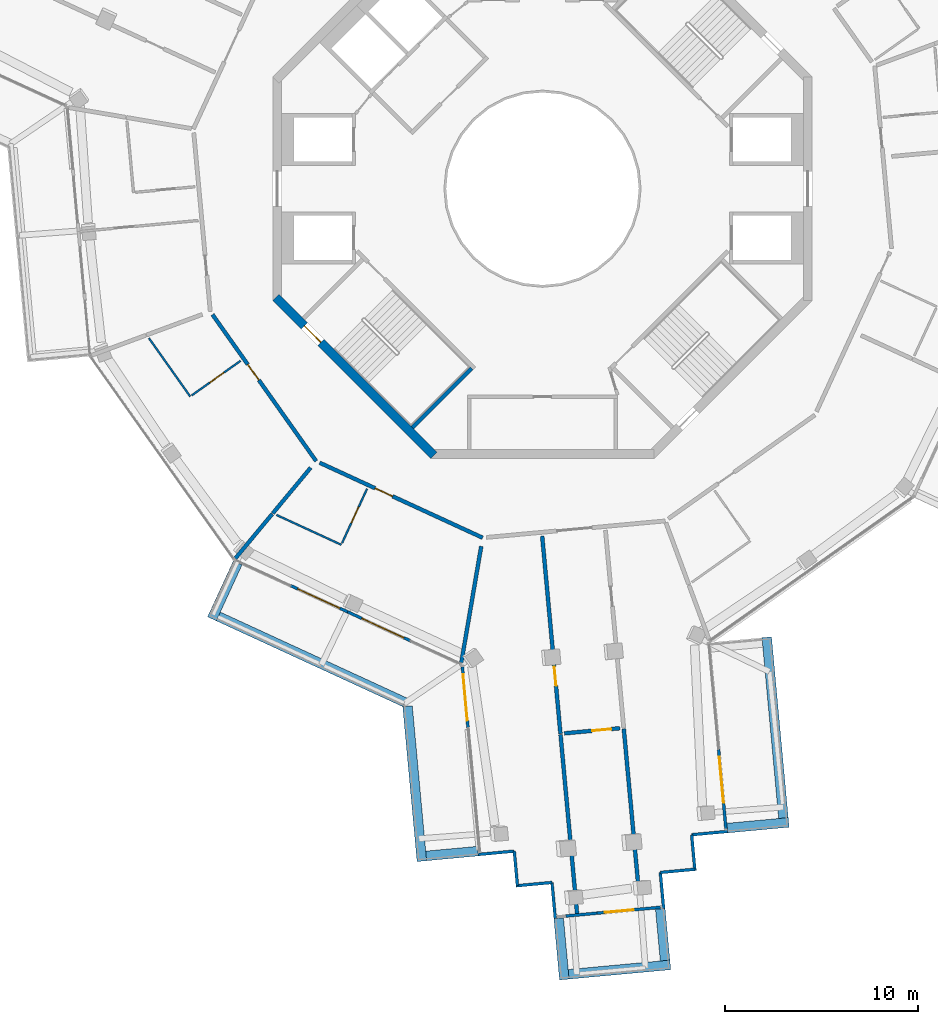
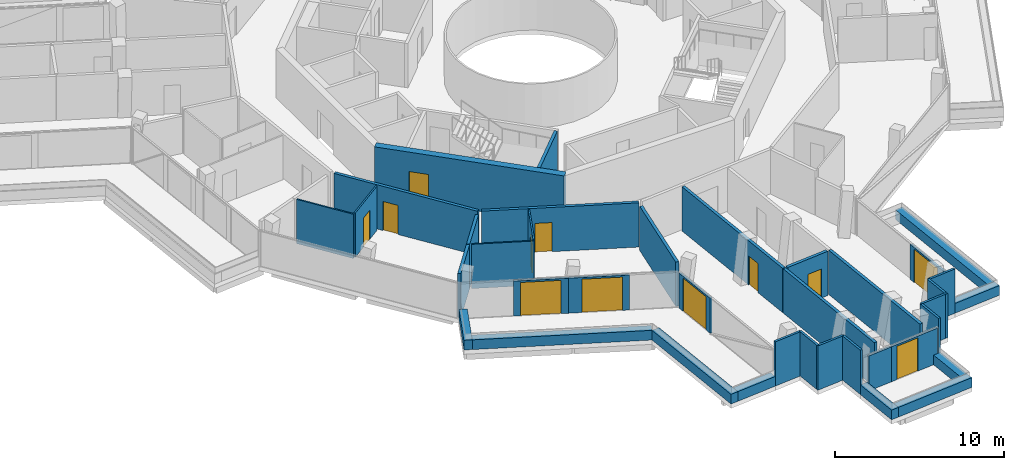
# One storey, part 17 of 25: 38 walls, 12 doors, 12 openings.
"""IFC4 building model written with IfcOpenShell, lengths in metres."""

from ifc_helpers import new_model, si_unit, direction, frame, frame_2d, origin, place, context, subcontext, project, spatial, rectangle, extrude, material, layer, layer_set, type_object, element, fill, save


model = new_model("IFC4")

# Units and contexts
model_context = context("Model", 3, precision=1e-05, world=origin(), true_north=direction((0.0, 1.0)))
body_context = subcontext(model_context, "Body", "Model", "MODEL_VIEW")
ifc_project = project(units=[si_unit("LENGTHUNIT", "METRE"), si_unit("AREAUNIT", "SQUARE_METRE"), si_unit("VOLUMEUNIT", "CUBIC_METRE"), si_unit("PLANEANGLEUNIT", "RADIAN"), si_unit("MASSUNIT", "GRAM", prefix="KILO")], contexts=[model_context])

# Site, building, storey
site_placement = place(None, origin())
site = spatial("IfcSite", under=ifc_project, at=site_placement, CompositionType="ELEMENT")
building_placement = place(site_placement, origin())
building = spatial("IfcBuilding", under=site, at=building_placement, Name="Verdalira Terraces Hotel", CompositionType="ELEMENT")
storey_placement = place(building_placement, frame((0.0, 0.0, 299.5)))
storey = spatial("IfcBuildingStorey", under=building, at=storey_placement, Name="L74", CompositionType="ELEMENT", Elevation=299.5)

# Walls
ifc_material_1 = material(Name="Concrete C40", Category="concrete")
ifc_layer_1 = layer(ifc_material_1, 0.5)
ifc_layer_set_1 = layer_set([ifc_layer_1], Name="Balcony planter trough with tree")
wall_type_1 = type_object("IfcWallType", Name="Balcony planter trough with tree", PredefinedType="SOLIDWALL", material=ifc_layer_set_1)
wall_1_placement = place(storey_placement, frame((-15.822021, -19.422607, 0.0), z_axis=(0.0, 0.0, 1.0), x_axis=(-0.418225571, -0.908343202, 0.0)))
element("IfcWall", 1, at=wall_1_placement, inside=storey, type_object=wall_type_1, Name="Balcony planter", PredefinedType="SOLIDWALL", context=body_context, shape_type="SweptSolid", body=[
    extrude(rectangle(XDim=3.198975, YDim=0.5, at=frame_2d((1.599609, 0.0))), origin(), (0.0, 0.0, 1.0), 0.699951),
])
wall_2_placement = place(storey_placement, frame((-16.828369, -22.205811, 0.0), z_axis=(0.0, 0.0, 1.0), x_axis=(0.908360761, -0.418187431, 0.0)))
element("IfcWall", 2, at=wall_2_placement, inside=storey, type_object=wall_type_1, Name="Balcony planter", PredefinedType="SOLIDWALL", context=body_context, shape_type="SweptSolid", body=[
    extrude(rectangle(XDim=10.652832, YDim=0.5, at=frame_2d((5.326416, 0.0))), origin(), (0.0, 0.0, 1.0), 0.699951),
])
wall_3_placement = place(storey_placement, frame((-7.007568, -26.864746, 0.0), z_axis=(0.0, 0.0, 1.0), x_axis=(0.092028956, -0.995756331, 0.0)))
element("IfcWall", 3, at=wall_3_placement, inside=storey, type_object=wall_type_1, Name="Balcony planter", PredefinedType="SOLIDWALL", context=body_context, shape_type="SweptSolid", body=[
    extrude(rectangle(XDim=8.077881, YDim=0.5, at=frame_2d((4.039062, 0.0))), origin(), (0.0, 0.0, 1.0), 0.699951),
])
wall_4_placement = place(storey_placement, frame((-6.03833, -34.636475, 0.0), z_axis=(0.0, 0.0, 1.0), x_axis=(0.995751125, 0.092085269, 0.0)))
element("IfcWall", 4, at=wall_4_placement, inside=storey, type_object=wall_type_1, Name="Balcony planter", PredefinedType="SOLIDWALL", context=body_context, shape_type="SweptSolid", body=[
    extrude(rectangle(XDim=2.698975, YDim=0.5, at=frame_2d((1.349609, 0.0))), origin(), (0.0, 0.0, 1.0), 0.699951),
])
wall_5_placement = place(storey_placement, frame((0.838379, -37.868408, 0.0), z_axis=(0.0, 0.0, 1.0), x_axis=(0.092042662, -0.995755064, 0.0)))
element("IfcWall", 5, at=wall_5_placement, inside=storey, type_object=wall_type_1, Name="Balcony planter", PredefinedType="SOLIDWALL", context=body_context, shape_type="SweptSolid", body=[
    extrude(rectangle(XDim=3.198975, YDim=0.5, at=frame_2d((1.599609, 0.0))), origin(), (0.0, 0.0, 1.0), 0.699951),
])
wall_6_placement = place(storey_placement, frame((1.358643, -40.781738, 0.0), z_axis=(0.0, 0.0, 1.0), x_axis=(0.995759995, 0.091989301, 0.0)))
element("IfcWall", 6, at=wall_6_placement, inside=storey, type_object=wall_type_1, Name="Balcony planter", PredefinedType="SOLIDWALL", context=body_context, shape_type="SweptSolid", body=[
    extrude(rectangle(XDim=5.300049, YDim=0.5, at=frame_2d((2.649902, 0.0))), origin(), (0.0, 0.0, 1.0), 0.699951),
])
wall_7_placement = place(storey_placement, frame((6.364258, -40.068115, 0.0), z_axis=(0.0, 0.0, 1.0), x_axis=(-0.092085269, 0.995751125, 0.0)))
element("IfcWall", 7, at=wall_7_placement, inside=storey, type_object=wall_type_1, Name="Balcony planter", PredefinedType="SOLIDWALL", context=body_context, shape_type="SweptSolid", body=[
    extrude(rectangle(XDim=2.698975, YDim=0.5, at=frame_2d((1.349609, 0.0))), origin(), (0.0, 0.0, 1.0), 0.699951),
])
wall_8_placement = place(storey_placement, frame((9.596191, -33.19165, 0.0), z_axis=(0.0, 0.0, 1.0), x_axis=(0.995755064, 0.092042662, 0.0)))
element("IfcWall", 8, at=wall_8_placement, inside=storey, type_object=wall_type_1, Name="Balcony planter", PredefinedType="SOLIDWALL", context=body_context, shape_type="SweptSolid", body=[
    extrude(rectangle(XDim=3.198975, YDim=0.5, at=frame_2d((1.599609, 0.0))), origin(), (0.0, 0.0, 1.0), 0.699951),
])
wall_9_placement = place(storey_placement, frame((12.509521, -32.671143, 0.0), z_axis=(0.0, 0.0, 1.0), x_axis=(-0.092007016, 0.995758359, 0.0)))
element("IfcWall", 9, at=wall_9_placement, inside=storey, type_object=wall_type_1, Name="Balcony planter", PredefinedType="SOLIDWALL", context=body_context, shape_type="SweptSolid", body=[
    extrude(rectangle(XDim=9.425293, YDim=0.5, at=frame_2d((4.712646, 0.0))), origin(), (0.0, 0.0, 1.0), 0.699951),
])
ifc_material_2 = material(Name="Moisture-resistant gypsum board partition")
ifc_layer_2 = layer(ifc_material_2, 0.10009765625)
ifc_layer_set_2 = layer_set([ifc_layer_2], Name="Bathroom partition 100 mm")
wall_type_2 = type_object("IfcWallType", Name="Bathroom partition 100 mm", PredefinedType="PARTITIONING", material=ifc_layer_set_2)
wall_10_placement = place(storey_placement, frame((-18.287842, -10.785156, 0.0), z_axis=(0.0, 0.0, 1.0), x_axis=(-0.577591155, 0.816326196, 0.0)))
element("IfcWall", 10, at=wall_10_placement, inside=storey, type_object=wall_type_2, Name="Bathroom partition", PredefinedType="PARTITIONING", context=body_context, shape_type="SweptSolid", body=[
    extrude(rectangle(XDim=3.704102, YDim=0.100098, at=frame_2d((1.852051, 0.0))), origin(), (0.0, 0.0, 1.0), 3.189941),
])

# Wall, opening, door
wall_11_placement = place(storey_placement, frame((-18.206299, -10.727295, 0.0), z_axis=(0.0, 0.0, 1.0), x_axis=(0.816316916, 0.57760427, 0.0)))
wall_11 = element("IfcWall", 11, at=wall_11_placement, inside=storey, type_object=wall_type_2, Name="Bathroom partition", PredefinedType="PARTITIONING", context=body_context, shape_type="SweptSolid", body=[
    extrude(rectangle(XDim=3.099854, YDim=0.100098, at=frame_2d((1.549805, 0.0))), origin(), (0.0, 0.0, 1.0), 3.189941),
])
opening_1_placement = place(wall_11_placement, frame((1.149902, 0.0, 0.0)))
opening_1 = element("IfcOpeningElement", 12, at=opening_1_placement, cuts=wall_11, Name="Opening L74-109", PredefinedType="OPENING", context=body_context, shape_type="SweptSolid", body=[
    extrude(rectangle(XDim=0.899902, YDim=2.100098, at=frame_2d((0.449951, 1.050049))), frame((0.0, 0.060059, 0.0), z_axis=(0.0, -1.0, 0.0), x_axis=(1.0, 0.0, 0.0)), (0.0, 0.0, 1.0), 0.120117),
])
ifc_material_3 = material(Name="Timber door", Category="wood")
door_type_1 = type_object("IfcDoorType", Name="Bathroom door 900 x 2100", OperationType="NOTDEFINED", PredefinedType="DOOR", material=ifc_material_3)
door_1_placement = place(opening_1_placement, origin())
door_1 = element("IfcDoor", 13, at=door_1_placement, inside=storey, type_object=door_type_1, Name="Bathroom door 7403", OperationType="SINGLE_SWING_LEFT", OverallHeight=2.10009765625, OverallWidth=0.89990234375, PredefinedType="DOOR", context=body_context, shape_type="SweptSolid", body=[
    extrude(rectangle(XDim=0.899902, YDim=2.100098, at=frame_2d((0.449951, 1.050049))), frame((0.0, 0.024902, 0.0), z_axis=(0.0, -1.0, 0.0), x_axis=(1.0, 0.0, 0.0)), (0.0, 0.0, 1.0), 0.050049),
])
fill(opening_1, door_1)

# Wall
wall_12_placement = place(storey_placement, frame((-10.445312, -18.484131, 0.0), z_axis=(0.0, 0.0, 1.0), x_axis=(-0.908371796, 0.418163462, 0.0)))
element("IfcWall", 14, at=wall_12_placement, inside=storey, type_object=wall_type_2, Name="Bathroom partition", PredefinedType="PARTITIONING", context=body_context, shape_type="SweptSolid", body=[
    extrude(rectangle(XDim=3.703857, YDim=0.100098, at=frame_2d((1.852051, 0.0))), origin(), (0.0, 0.0, 1.0), 3.189941),
])

# Wall, opening, door
wall_13_placement = place(storey_placement, frame((-10.403564, -18.393311, 0.0), z_axis=(0.0, 0.0, 1.0), x_axis=(0.418188991, 0.908360043, 0.0)))
wall_13 = element("IfcWall", 15, at=wall_13_placement, inside=storey, type_object=wall_type_2, Name="Bathroom partition", PredefinedType="PARTITIONING", context=body_context, shape_type="SweptSolid", body=[
    extrude(rectangle(XDim=3.100098, YDim=0.100098, at=frame_2d((1.550049, 0.0))), origin(), (0.0, 0.0, 1.0), 3.189941),
])
opening_2_placement = place(wall_13_placement, frame((1.149902, 0.0, 0.0)))
opening_2 = element("IfcOpeningElement", 16, at=opening_2_placement, cuts=wall_13, Name="Opening L74-111", PredefinedType="OPENING", context=body_context, shape_type="SweptSolid", body=[
    extrude(rectangle(XDim=0.899902, YDim=2.100098, at=frame_2d((0.449951, 1.050049))), frame((0.0, 0.060059, 0.0), z_axis=(0.0, -1.0, 0.0), x_axis=(1.0, 0.0, 0.0)), (0.0, 0.0, 1.0), 0.120117),
])
door_2_placement = place(opening_2_placement, origin())
door_2 = element("IfcDoor", 17, at=door_2_placement, inside=storey, type_object=door_type_1, Name="Bathroom door 7404", OperationType="SINGLE_SWING_LEFT", OverallHeight=2.10009765625, OverallWidth=0.89990234375, PredefinedType="DOOR", context=body_context, shape_type="SweptSolid", body=[
    extrude(rectangle(XDim=0.899902, YDim=2.100098, at=frame_2d((0.449951, 1.050049))), frame((0.0, 0.024902, 0.0), z_axis=(0.0, -1.0, 0.0), x_axis=(1.0, 0.0, 0.0)), (0.0, 0.0, 1.0), 0.050049),
])
fill(opening_2, door_2)

# Wall
ifc_material_4 = material(Name="Concrete C50", Category="concrete")
ifc_layer_3 = layer(ifc_material_4, 0.199951171875)
ifc_layer_set_3 = layer_set([ifc_layer_3], Name="Core RC wall 200 C50")
wall_type_3 = type_object("IfcWallType", Name="Core RC wall 200 C50", PredefinedType="SOLIDWALL", material=ifc_layer_set_3)
wall_14_placement = place(storey_placement, frame((-3.677002, -9.33374, 0.0), z_axis=(0.0, 0.0, 1.0), x_axis=(-0.707106781, -0.707106781, 0.0)))
element("IfcWall", 18, at=wall_14_placement, inside=storey, type_object=wall_type_3, Name="L74 stair ST2 end wall 2", PredefinedType="SOLIDWALL", context=body_context, shape_type="SweptSolid", body=[
    extrude(rectangle(XDim=4.350098, YDim=0.199951, at=frame_2d((2.175049, 0.0))), origin(), (0.0, 0.0, 1.0), 3.189941),
])

# Wall, opening, door
ifc_material_5 = material(Name="Concrete C50", Category="concrete")
ifc_layer_4 = layer(ifc_material_5, 0.449951171875)
ifc_layer_set_4 = layer_set([ifc_layer_4], Name="Core wall 450 C50")
wall_type_4 = type_object("IfcWallType", Name="Core wall 450 C50", PredefinedType="SHEAR", material=ifc_layer_set_4)
wall_15_placement = place(storey_placement, frame((-13.84082, -5.639893, 0.0), z_axis=(0.0, 0.0, 1.0), x_axis=(0.707106781, -0.707106781, 0.0)))
wall_15 = element("IfcWall", 19, at=wall_15_placement, inside=storey, type_object=wall_type_4, Name="Core wall CW-L74-6", PredefinedType="SHEAR", context=body_context, shape_type="SweptSolid", body=[
    extrude(rectangle(XDim=11.5979, YDim=0.449951, at=frame_2d((5.798828, 0.0))), origin(), (0.0, 0.0, 1.0), 3.5),
])
opening_3_placement = place(wall_15_placement, frame((2.099121, 0.0, 0.0)))
opening_3 = element("IfcOpeningElement", 20, at=opening_3_placement, cuts=wall_15, Name="Opening L74-817", PredefinedType="OPENING", context=body_context, shape_type="SweptSolid", body=[
    extrude(rectangle(XDim=1.199951, YDim=2.100098, at=frame_2d((0.600098, 1.050049))), frame((0.0, 0.234863, 0.0), z_axis=(0.0, -1.0, 0.0), x_axis=(1.0, 0.0, 0.0)), (0.0, 0.0, 1.0), 0.469971),
])
ifc_material_6 = material(Name="Steel fire door", Category="steel")
door_type_2 = type_object("IfcDoorType", Name="Stair door 1200 x 2100", OperationType="NOTDEFINED", PredefinedType="DOOR", material=ifc_material_6)
door_3_placement = place(opening_3_placement, origin())
door_3 = element("IfcDoor", 21, at=door_3_placement, inside=storey, type_object=door_type_2, Name="Stair exit door ST2 L74", OperationType="SINGLE_SWING_LEFT", OverallHeight=2.10009765625, OverallWidth=1.199951171875, PredefinedType="DOOR", context=body_context, shape_type="SweptSolid", body=[
    extrude(rectangle(XDim=1.199951, YDim=2.100098, at=frame_2d((0.600098, 1.050049))), frame((0.0, 0.024902, 0.0), z_axis=(0.0, -1.0, 0.0), x_axis=(1.0, 0.0, 0.0)), (0.0, 0.0, 1.0), 0.050049),
])
fill(opening_3, door_3)

# Walls
ifc_material_7 = material(Name="Fire-rated gypsum board wall")
ifc_layer_5 = layer(ifc_material_7, 0.199951171875)
ifc_layer_set_5 = layer_set([ifc_layer_5], Name="Demising wall 200 mm")
wall_type_5 = type_object("IfcWallType", Name="Demising wall 200 mm", PredefinedType="SOLIDWALL", material=ifc_layer_set_5)
wall_16_placement = place(storey_placement, frame((-14.028564, -16.885498, 0.0), z_axis=(0.0, 0.0, 1.0), x_axis=(-0.63904331, -0.769170754, 0.0)))
element("IfcWall", 22, at=wall_16_placement, inside=storey, type_object=wall_type_5, Name="Demising wall", PredefinedType="SOLIDWALL", context=body_context, shape_type="SweptSolid", body=[
    extrude(rectangle(XDim=3.01123, YDim=0.199951, at=frame_2d((1.505615, 0.0))), origin(), (0.0, 0.0, 1.0), 3.189941),
])
wall_17_placement = place(storey_placement, frame((-12.034424, -14.485107, 0.0), z_axis=(0.0, 0.0, 1.0), x_axis=(-0.639035595, -0.769177163, 0.0)))
element("IfcWall", 23, at=wall_17_placement, inside=storey, type_object=wall_type_5, Name="Demising wall", PredefinedType="SOLIDWALL", context=body_context, shape_type="SweptSolid", body=[
    extrude(rectangle(XDim=3.074707, YDim=0.199951, at=frame_2d((1.537354, 0.0))), origin(), (0.0, 0.0, 1.0), 3.189941),
])
wall_18_placement = place(storey_placement, frame((-4.214844, -24.605713, 0.0), z_axis=(0.0, 0.0, 1.0), x_axis=(0.168845576, 0.985642517, 0.0)))
element("IfcWall", 24, at=wall_18_placement, inside=storey, type_object=wall_type_5, Name="Demising wall", PredefinedType="SOLIDWALL", context=body_context, shape_type="SweptSolid", body=[
    extrude(rectangle(XDim=6.132324, YDim=0.199951, at=frame_2d((3.066162, 0.0))), origin(), (0.0, 0.0, 1.0), 3.189941),
])

# Wall, opening, door
wall_19_placement = place(storey_placement, frame((0.933105, -28.294434, 0.0), z_axis=(0.0, 0.0, 1.0), x_axis=(-0.092020677, 0.995757096, 0.0)))
wall_19 = element("IfcWall", 25, at=wall_19_placement, inside=storey, type_object=wall_type_5, Name="Demising wall", PredefinedType="SOLIDWALL", context=body_context, shape_type="SweptSolid", body=[
    extrude(rectangle(XDim=10.302002, YDim=0.199951, at=frame_2d((5.150879, 0.0))), origin(), (0.0, 0.0, 1.0), 3.189941),
])
opening_4_placement = place(wall_19_placement, frame((2.5, 0.0, 0.0)))
opening_4 = element("IfcOpeningElement", 26, at=opening_4_placement, cuts=wall_19, Name="Opening L74-113", PredefinedType="OPENING", context=body_context, shape_type="SweptSolid", body=[
    extrude(rectangle(XDim=1.0, YDim=2.100098, at=frame_2d((0.5, 1.050049))), frame((0.0, 0.109863, 0.0), z_axis=(0.0, -1.0, 0.0), x_axis=(1.0, 0.0, 0.0)), (0.0, 0.0, 1.0), 0.219971),
])
ifc_material_8 = material(Name="Timber fire door", Category="wood")
door_type_3 = type_object("IfcDoorType", Name="Public room door 1000 x 2100", OperationType="NOTDEFINED", PredefinedType="DOOR", material=ifc_material_8)
door_4_placement = place(opening_4_placement, origin())
door_4 = element("IfcDoor", 27, at=door_4_placement, inside=storey, type_object=door_type_3, Name="Public room door 7405", OperationType="SINGLE_SWING_LEFT", OverallHeight=2.10009765625, OverallWidth=1.0, PredefinedType="DOOR", context=body_context, shape_type="SweptSolid", body=[
    extrude(rectangle(XDim=1.0, YDim=2.100098, at=frame_2d((0.5, 1.050049))), frame((0.0, 0.024902, 0.0), z_axis=(0.0, -1.0, 0.0), x_axis=(1.0, 0.0, 0.0)), (0.0, 0.0, 1.0), 0.050049),
])
fill(opening_4, door_4)

# Wall
wall_20_placement = place(storey_placement, frame((0.9375, -28.340332, 0.0), z_axis=(0.0, 0.0, 1.0), x_axis=(0.092003568, -0.995758677, 0.0)))
element("IfcWall", 28, at=wall_20_placement, inside=storey, type_object=wall_type_5, Name="Demising wall", PredefinedType="SOLIDWALL", context=body_context, shape_type="SweptSolid", body=[
    extrude(rectangle(XDim=9.327393, YDim=0.199951, at=frame_2d((4.663574, 0.0))), origin(), (0.0, 0.0, 1.0), 3.189941),
])

# Wall, opening, door
wall_21_placement = place(storey_placement, frame((4.017822, -28.007324, 0.0), z_axis=(0.0, 0.0, 1.0), x_axis=(-0.995751838, -0.09207756, 0.0)))
wall_21 = element("IfcWall", 29, at=wall_21_placement, inside=storey, type_object=wall_type_5, Name="Demising wall", PredefinedType="SOLIDWALL", context=body_context, shape_type="SweptSolid", body=[
    extrude(rectangle(XDim=2.897949, YDim=0.199951, at=frame_2d((1.448975, 0.0))), origin(), (0.0, 0.0, 1.0), 3.189941),
])
opening_5_placement = place(wall_21_placement, frame((0.449951, 0.0, 0.0)))
opening_5 = element("IfcOpeningElement", 30, at=opening_5_placement, cuts=wall_21, Name="Opening L74-115", PredefinedType="OPENING", context=body_context, shape_type="SweptSolid", body=[
    extrude(rectangle(XDim=1.0, YDim=2.100098, at=frame_2d((0.5, 1.050049))), frame((0.0, 0.109863, 0.0), z_axis=(0.0, -1.0, 0.0), x_axis=(1.0, 0.0, 0.0)), (0.0, 0.0, 1.0), 0.219971),
])
door_5_placement = place(opening_5_placement, origin())
door_5 = element("IfcDoor", 31, at=door_5_placement, inside=storey, type_object=door_type_3, Name="Public room door 7405", OperationType="SINGLE_SWING_LEFT", OverallHeight=2.10009765625, OverallWidth=1.0, PredefinedType="DOOR", context=body_context, shape_type="SweptSolid", body=[
    extrude(rectangle(XDim=1.0, YDim=2.100098, at=frame_2d((0.5, 1.050049))), frame((0.0, 0.024902, 0.0), z_axis=(0.0, -1.0, 0.0), x_axis=(1.0, 0.0, 0.0)), (0.0, 0.0, 1.0), 0.050049),
])
fill(opening_5, door_5)

# Wall
wall_22_placement = place(storey_placement, frame((5.079834, -37.324707, 0.0), z_axis=(0.0, 0.0, 1.0), x_axis=(-0.092029521, 0.995756279, 0.0)))
element("IfcWall", 32, at=wall_22_placement, inside=storey, type_object=wall_type_5, Name="Demising wall", PredefinedType="SOLIDWALL", context=body_context, shape_type="SweptSolid", body=[
    extrude(rectangle(XDim=9.327393, YDim=0.199951, at=frame_2d((4.663574, 0.0))), origin(), (0.0, 0.0, 1.0), 3.189941),
])

# Wall, opening, door
ifc_material_9 = material(Name="Fire-rated gypsum board wall")
ifc_layer_6 = layer(ifc_material_9, 0.199951171875)
ifc_layer_set_6 = layer_set([ifc_layer_6], Name="Guest corridor wall 200 mm")
wall_type_6 = type_object("IfcWallType", Name="Guest corridor wall 200 mm", PredefinedType="SOLIDWALL", material=ifc_layer_set_6)
wall_23_placement = place(storey_placement, frame((-11.748535, -14.141113, 0.0), z_axis=(0.0, 0.0, 1.0), x_axis=(-0.577581016, 0.81633337, 0.0)))
wall_23 = element("IfcWall", 33, at=wall_23_placement, inside=storey, type_object=wall_type_6, Name="Guest corridor wall", PredefinedType="SOLIDWALL", context=body_context, shape_type="SweptSolid", body=[
    extrude(rectangle(XDim=9.31665, YDim=0.199951, at=frame_2d((4.658203, 0.0))), origin(), (0.0, 0.0, 1.0), 3.189941),
])
opening_6_placement = place(wall_23_placement, frame((5.149902, 0.0, 0.0)))
opening_6 = element("IfcOpeningElement", 34, at=opening_6_placement, cuts=wall_23, Name="Opening L74-108", PredefinedType="OPENING", context=body_context, shape_type="SweptSolid", body=[
    extrude(rectangle(XDim=1.0, YDim=2.100098, at=frame_2d((0.5, 1.050049))), frame((0.0, 0.109863, 0.0), z_axis=(0.0, -1.0, 0.0), x_axis=(1.0, 0.0, 0.0)), (0.0, 0.0, 1.0), 0.219971),
])
ifc_material_10 = material(Name="Timber fire door", Category="wood")
door_type_4 = type_object("IfcDoorType", Name="Guest entry door 1000 x 2100", OperationType="NOTDEFINED", PredefinedType="DOOR", material=ifc_material_10)
door_6_placement = place(opening_6_placement, origin())
door_6 = element("IfcDoor", 35, at=door_6_placement, inside=storey, type_object=door_type_4, Name="Guest entry door 7403", OperationType="SINGLE_SWING_LEFT", OverallHeight=2.10009765625, OverallWidth=1.0, PredefinedType="DOOR", context=body_context, shape_type="SweptSolid", body=[
    extrude(rectangle(XDim=1.0, YDim=2.100098, at=frame_2d((0.5, 1.050049))), frame((0.0, 0.024902, 0.0), z_axis=(0.0, -1.0, 0.0), x_axis=(1.0, 0.0, 0.0)), (0.0, 0.0, 1.0), 0.050049),
])
fill(opening_6, door_6)

wall_24_placement = place(storey_placement, frame((-3.104004, -18.12085, 0.0), z_axis=(0.0, 0.0, 1.0), x_axis=(-0.908365452, 0.418177241, 0.0)))
wall_24 = element("IfcWall", 36, at=wall_24_placement, inside=storey, type_object=wall_type_6, Name="Guest corridor wall", PredefinedType="SOLIDWALL", context=body_context, shape_type="SweptSolid", body=[
    extrude(rectangle(XDim=9.31665, YDim=0.199951, at=frame_2d((4.658203, 0.0))), origin(), (0.0, 0.0, 1.0), 3.189941),
])
opening_7_placement = place(wall_24_placement, frame((5.149902, 0.0, 0.0)))
opening_7 = element("IfcOpeningElement", 37, at=opening_7_placement, cuts=wall_24, Name="Opening L74-110", PredefinedType="OPENING", context=body_context, shape_type="SweptSolid", body=[
    extrude(rectangle(XDim=1.0, YDim=2.100098, at=frame_2d((0.5, 1.050049))), frame((0.0, 0.109863, 0.0), z_axis=(0.0, -1.0, 0.0), x_axis=(1.0, 0.0, 0.0)), (0.0, 0.0, 1.0), 0.219971),
])
door_7_placement = place(opening_7_placement, origin())
door_7 = element("IfcDoor", 38, at=door_7_placement, inside=storey, type_object=door_type_4, Name="Guest entry door 7404", OperationType="SINGLE_SWING_LEFT", OverallHeight=2.10009765625, OverallWidth=1.0, PredefinedType="DOOR", context=body_context, shape_type="SweptSolid", body=[
    extrude(rectangle(XDim=1.0, YDim=2.100098, at=frame_2d((0.5, 1.050049))), frame((0.0, 0.024902, 0.0), z_axis=(0.0, -1.0, 0.0), x_axis=(1.0, 0.0, 0.0)), (0.0, 0.0, 1.0), 0.050049),
])
fill(opening_7, door_7)

# Walls
ifc_material_11 = material(Name="Terracotta cladding", Category="masonry")
ifc_layer_7 = layer(ifc_material_11, 0.14990234375)
ifc_layer_set_7 = layer_set([ifc_layer_7], Name="Terracotta clad wall 150")
wall_type_7 = type_object("IfcWallType", Name="Terracotta clad wall 150", PredefinedType="SOLIDWALL", material=ifc_layer_set_7)
wall_25_placement = place(storey_placement, frame((-3.33374, -34.562256, 0.0), z_axis=(0.0, 0.0, 1.0), x_axis=(0.995754387, 0.092049994, 0.0)))
element("IfcWall", 39, at=wall_25_placement, inside=storey, type_object=wall_type_7, Name="Terracotta cladding wall", PredefinedType="SOLIDWALL", context=body_context, shape_type="SweptSolid", body=[
    extrude(rectangle(XDim=1.875244, YDim=0.149902, at=frame_2d((0.9375, 0.0))), origin(), (0.0, 0.0, 1.0), 3.189941),
])
wall_26_placement = place(storey_placement, frame((-1.466553, -34.389648, 0.0), z_axis=(0.0, 0.0, 1.0), x_axis=(0.091954165, -0.995763241, 0.0)))
element("IfcWall", 40, at=wall_26_placement, inside=storey, type_object=wall_type_7, Name="Terracotta cladding wall", PredefinedType="SOLIDWALL", context=body_context, shape_type="SweptSolid", body=[
    extrude(rectangle(XDim=1.800049, YDim=0.149902, at=frame_2d((0.899902, 0.0))), origin(), (0.0, 0.0, 1.0), 3.189941),
])
wall_27_placement = place(storey_placement, frame((-1.375732, -36.188965, 0.0), z_axis=(0.0, 0.0, 1.0), x_axis=(0.995754387, 0.092049994, 0.0)))
element("IfcWall", 41, at=wall_27_placement, inside=storey, type_object=wall_type_7, Name="Terracotta cladding wall", PredefinedType="SOLIDWALL", context=body_context, shape_type="SweptSolid", body=[
    extrude(rectangle(XDim=1.875244, YDim=0.149902, at=frame_2d((0.9375, 0.0))), origin(), (0.0, 0.0, 1.0), 3.189941),
])
wall_28_placement = place(storey_placement, frame((0.491455, -36.016357, 0.0), z_axis=(0.0, 0.0, 1.0), x_axis=(0.092061929, -0.995753283, 0.0)))
element("IfcWall", 42, at=wall_28_placement, inside=storey, type_object=wall_type_7, Name="Terracotta cladding wall", PredefinedType="SOLIDWALL", context=body_context, shape_type="SweptSolid", body=[
    extrude(rectangle(XDim=1.875, YDim=0.149902, at=frame_2d((0.9375, 0.0))), origin(), (0.0, 0.0, 1.0), 3.189941),
])
wall_29_placement = place(storey_placement, frame((6.290039, -37.363525, 0.0), z_axis=(0.0, 0.0, 1.0), x_axis=(-0.092049994, 0.995754387, 0.0)))
element("IfcWall", 43, at=wall_29_placement, inside=storey, type_object=wall_type_7, Name="Terracotta cladding wall", PredefinedType="SOLIDWALL", context=body_context, shape_type="SweptSolid", body=[
    extrude(rectangle(XDim=1.875244, YDim=0.149902, at=frame_2d((0.9375, 0.0))), origin(), (0.0, 0.0, 1.0), 3.189941),
])
wall_30_placement = place(storey_placement, frame((6.117432, -35.496338, 0.0), z_axis=(0.0, 0.0, 1.0), x_axis=(0.995763241, 0.091954165, 0.0)))
element("IfcWall", 44, at=wall_30_placement, inside=storey, type_object=wall_type_7, Name="Terracotta cladding wall", PredefinedType="SOLIDWALL", context=body_context, shape_type="SweptSolid", body=[
    extrude(rectangle(XDim=1.800049, YDim=0.149902, at=frame_2d((0.899902, 0.0))), origin(), (0.0, 0.0, 1.0), 3.189941),
])
for number, where, z_axis, x_axis, name in (
    (45, (7.916748, -35.405518, 0.0), (0.0, 0.0, 1.0), (-0.092049994, 0.995754387, 0.0), "Terracotta cladding wall"),
    (46, (7.744141, -33.53833, 0.0), (0.0, 0.0, 1.0), (0.995766312, 0.091920897, 0.0), "Terracotta cladding wall"),
):
    element("IfcWall", number, at=place(storey_placement, frame(where, z_axis=z_axis, x_axis=x_axis)), inside=storey, type_object=wall_type_7, Name=name, PredefinedType="SOLIDWALL", context=body_context, shape_type="SweptSolid", body=[
        extrude(rectangle(XDim=1.875244, YDim=0.149902, at=frame_2d((0.9375, 0.0))), origin(), (0.0, 0.0, 1.0), 3.189941),
    ])
ifc_material_12 = material(Name="Terracotta cladding", Category="masonry")
ifc_layer_8 = layer(ifc_material_12, 0.14990234375)
ifc_layer_set_8 = layer_set([ifc_layer_8], Name="Terracotta column pier 150")
wall_type_8 = type_object("IfcWallType", Name="Terracotta column pier 150", PredefinedType="SOLIDWALL", material=ifc_layer_set_8)
wall_31_placement = place(storey_placement, frame((1.209717, -37.757568, 0.0), z_axis=(0.0, 0.0, 1.0), x_axis=(0.995762038, 0.091967192, 0.0)))
element("IfcWall", 47, at=wall_31_placement, inside=storey, type_object=wall_type_8, Name="Terracotta column pier", PredefinedType="SOLIDWALL", context=body_context, shape_type="SweptSolid", body=[
    extrude(rectangle(XDim=1.629883, YDim=0.149902, at=frame_2d((0.814941, 0.0))), origin(), (0.0, 0.0, 1.0), 2.524902),
])

# Wall, opening, door
ifc_material_13 = material(Name="Terracotta cladding", Category="masonry")
ifc_layer_9 = layer(ifc_material_13, 0.14990234375)
ifc_layer_set_9 = layer_set([ifc_layer_9], Name="Terracotta door pier 150")
wall_type_9 = type_object("IfcWallType", Name="Terracotta door pier 150", PredefinedType="SOLIDWALL", material=ifc_layer_set_9)
wall_32_placement = place(storey_placement, frame((-13.065186, -20.608154, 0.0), z_axis=(0.0, 0.0, 1.0), x_axis=(0.90835693, -0.418195752, 0.0)))
wall_32 = element("IfcWall", 48, at=wall_32_placement, inside=storey, type_object=wall_type_9, Name="Terracotta door pier", PredefinedType="SOLIDWALL", context=body_context, shape_type="SweptSolid", body=[
    extrude(rectangle(XDim=3.25, YDim=0.149902, at=frame_2d((1.625, 0.0))), origin(), (0.0, 0.0, 1.0), 2.524902),
])
opening_8_placement = place(wall_32_placement, frame((0.399902, 0.0, 0.0)))
opening_8 = element("IfcOpeningElement", 49, at=opening_8_placement, cuts=wall_32, Name="Opening L74-B06", PredefinedType="OPENING", context=body_context, shape_type="SweptSolid", body=[
    extrude(rectangle(XDim=2.399902, YDim=2.399902, at=frame_2d((1.199951, 1.199951))), frame((0.0, 0.084961, 0.0), z_axis=(0.0, -1.0, 0.0), x_axis=(1.0, 0.0, 0.0)), (0.0, 0.0, 1.0), 0.169922),
])
ifc_material_14 = material(Name="Clear glass", Category="glass")
door_type_5 = type_object("IfcDoorType", Name="Balcony sliding door 2400x2400", OperationType="NOTDEFINED", PredefinedType="DOOR", material=ifc_material_14)
door_8_placement = place(opening_8_placement, origin())
door_8 = element("IfcDoor", 50, at=door_8_placement, inside=storey, type_object=door_type_5, Name="Balcony sliding door", OperationType="SLIDING_TO_RIGHT", OverallHeight=2.39990234375, OverallWidth=2.39990234375, PredefinedType="DOOR", context=body_context, shape_type="SweptSolid", body=[
    extrude(rectangle(XDim=2.399902, YDim=2.399902, at=frame_2d((1.199951, 1.199951))), frame((0.0, 0.024902, 0.0), z_axis=(0.0, -1.0, 0.0), x_axis=(1.0, 0.0, 0.0)), (0.0, 0.0, 1.0), 0.050049),
])
fill(opening_8, door_8)

wall_33_placement = place(storey_placement, frame((-10.113037, -21.967285, 0.0), z_axis=(0.0, 0.0, 1.0), x_axis=(0.908376452, -0.418153346, 0.0)))
wall_33 = element("IfcWall", 51, at=wall_33_placement, inside=storey, type_object=wall_type_9, Name="Terracotta door pier", PredefinedType="SOLIDWALL", context=body_context, shape_type="SweptSolid", body=[
    extrude(rectangle(XDim=3.611084, YDim=0.149902, at=frame_2d((1.805664, 0.0))), origin(), (0.0, 0.0, 1.0), 2.524902),
])
opening_9_placement = place(wall_33_placement, frame((0.811279, 0.0, 0.0)))
opening_9 = element("IfcOpeningElement", 52, at=opening_9_placement, cuts=wall_33, Name="Opening L74-B07", PredefinedType="OPENING", context=body_context, shape_type="SweptSolid", body=[
    extrude(rectangle(XDim=2.399902, YDim=2.399902, at=frame_2d((1.199951, 1.199951))), frame((0.0, 0.084961, 0.0), z_axis=(0.0, -1.0, 0.0), x_axis=(1.0, 0.0, 0.0)), (0.0, 0.0, 1.0), 0.169922),
])
door_9_placement = place(opening_9_placement, origin())
door_9 = element("IfcDoor", 53, at=door_9_placement, inside=storey, type_object=door_type_5, Name="Balcony sliding door", OperationType="SLIDING_TO_LEFT", OverallHeight=2.39990234375, OverallWidth=2.39990234375, PredefinedType="DOOR", context=body_context, shape_type="SweptSolid", body=[
    extrude(rectangle(XDim=2.399902, YDim=2.399902, at=frame_2d((1.199951, 1.199951))), frame((0.0, 0.024902, 0.0), z_axis=(0.0, -1.0, 0.0), x_axis=(1.0, 0.0, 0.0)), (0.0, 0.0, 1.0), 0.050049),
])
fill(opening_9, door_9)

wall_34_placement = place(storey_placement, frame((-4.158936, -24.816406, 0.0), z_axis=(0.0, 0.0, 1.0), x_axis=(0.09201469, -0.99575765, 0.0)))
wall_34 = element("IfcWall", 54, at=wall_34_placement, inside=storey, type_object=wall_type_9, Name="Terracotta door pier", PredefinedType="SOLIDWALL", context=body_context, shape_type="SweptSolid", body=[
    extrude(rectangle(XDim=3.199951, YDim=0.149902, at=frame_2d((1.600098, 0.0))), origin(), (0.0, 0.0, 1.0), 2.524902),
])
opening_10_placement = place(wall_34_placement, frame((0.399902, 0.0, 0.0)))
opening_10 = element("IfcOpeningElement", 55, at=opening_10_placement, cuts=wall_34, Name="Opening L74-B08", PredefinedType="OPENING", context=body_context, shape_type="SweptSolid", body=[
    extrude(rectangle(XDim=2.399902, YDim=2.399902, at=frame_2d((1.199951, 1.199951))), frame((0.0, 0.084961, 0.0), z_axis=(0.0, -1.0, 0.0), x_axis=(1.0, 0.0, 0.0)), (0.0, 0.0, 1.0), 0.169922),
])
door_10_placement = place(opening_10_placement, origin())
door_10 = element("IfcDoor", 56, at=door_10_placement, inside=storey, type_object=door_type_5, Name="Balcony sliding door", OperationType="SLIDING_TO_LEFT", OverallHeight=2.39990234375, OverallWidth=2.39990234375, PredefinedType="DOOR", context=body_context, shape_type="SweptSolid", body=[
    extrude(rectangle(XDim=2.399902, YDim=2.399902, at=frame_2d((1.199951, 1.199951))), frame((0.0, 0.024902, 0.0), z_axis=(0.0, -1.0, 0.0), x_axis=(1.0, 0.0, 0.0)), (0.0, 0.0, 1.0), 0.050049),
])
fill(opening_10, door_10)

wall_35_placement = place(storey_placement, frame((2.832764, -37.607666, 0.0), z_axis=(0.0, 0.0, 1.0), x_axis=(0.995754206, 0.092051944, 0.0)))
wall_35 = element("IfcWall", 57, at=wall_35_placement, inside=storey, type_object=wall_type_9, Name="Terracotta door pier", PredefinedType="SOLIDWALL", context=body_context, shape_type="SweptSolid", body=[
    extrude(rectangle(XDim=3.310059, YDim=0.149902, at=frame_2d((1.655029, 0.0))), origin(), (0.0, 0.0, 1.0), 2.524902),
])
opening_11_placement = place(wall_35_placement, frame((0.399902, 0.0, 0.0)))
opening_11 = element("IfcOpeningElement", 58, at=opening_11_placement, cuts=wall_35, Name="Opening L74-B09", PredefinedType="OPENING", context=body_context, shape_type="SweptSolid", body=[
    extrude(rectangle(XDim=1.5, YDim=2.399902, at=frame_2d((0.75, 1.199951))), frame((0.0, 0.084961, 0.0), z_axis=(0.0, -1.0, 0.0), x_axis=(1.0, 0.0, 0.0)), (0.0, 0.0, 1.0), 0.169922),
])
ifc_material_15 = material(Name="Clear glass", Category="glass")
door_type_6 = type_object("IfcDoorType", Name="Balcony sliding door 1500x2400", OperationType="NOTDEFINED", PredefinedType="DOOR", material=ifc_material_15)
door_11_placement = place(opening_11_placement, origin())
door_11 = element("IfcDoor", 59, at=door_11_placement, inside=storey, type_object=door_type_6, Name="Balcony sliding door", OperationType="SLIDING_TO_RIGHT", OverallHeight=2.39990234375, OverallWidth=1.5, PredefinedType="DOOR", context=body_context, shape_type="SweptSolid", body=[
    extrude(rectangle(XDim=1.5, YDim=2.399902, at=frame_2d((0.75, 1.199951))), frame((0.0, 0.024902, 0.0), z_axis=(0.0, -1.0, 0.0), x_axis=(1.0, 0.0, 0.0)), (0.0, 0.0, 1.0), 0.050049),
])
fill(opening_11, door_11)

wall_36_placement = place(storey_placement, frame((9.523193, -33.228516, 0.0), z_axis=(0.0, 0.0, 1.0), x_axis=(-0.092022565, 0.995756922, 0.0)))
wall_36 = element("IfcWall", 60, at=wall_36_placement, inside=storey, type_object=wall_type_9, Name="Terracotta door pier", PredefinedType="SOLIDWALL", context=body_context, shape_type="SweptSolid", body=[
    extrude(rectangle(XDim=4.159912, YDim=0.149902, at=frame_2d((2.080078, 0.0))), origin(), (0.0, 0.0, 1.0), 2.524902),
])
opening_12_placement = place(wall_36_placement, frame((1.360107, 0.0, 0.0)))
opening_12 = element("IfcOpeningElement", 61, at=opening_12_placement, cuts=wall_36, Name="Opening L74-B10", PredefinedType="OPENING", context=body_context, shape_type="SweptSolid", body=[
    extrude(rectangle(XDim=2.399902, YDim=2.399902, at=frame_2d((1.199951, 1.199951))), frame((0.0, 0.084961, 0.0), z_axis=(0.0, -1.0, 0.0), x_axis=(1.0, 0.0, 0.0)), (0.0, 0.0, 1.0), 0.169922),
])
door_12_placement = place(opening_12_placement, origin())
door_12 = element("IfcDoor", 62, at=door_12_placement, inside=storey, type_object=door_type_5, Name="Balcony sliding door", OperationType="SLIDING_TO_LEFT", OverallHeight=2.39990234375, OverallWidth=2.39990234375, PredefinedType="DOOR", context=body_context, shape_type="SweptSolid", body=[
    extrude(rectangle(XDim=2.399902, YDim=2.399902, at=frame_2d((1.199951, 1.199951))), frame((0.0, 0.024902, 0.0), z_axis=(0.0, -1.0, 0.0), x_axis=(1.0, 0.0, 0.0)), (0.0, 0.0, 1.0), 0.050049),
])
fill(opening_12, door_12)

save(model, "model.ifc")
